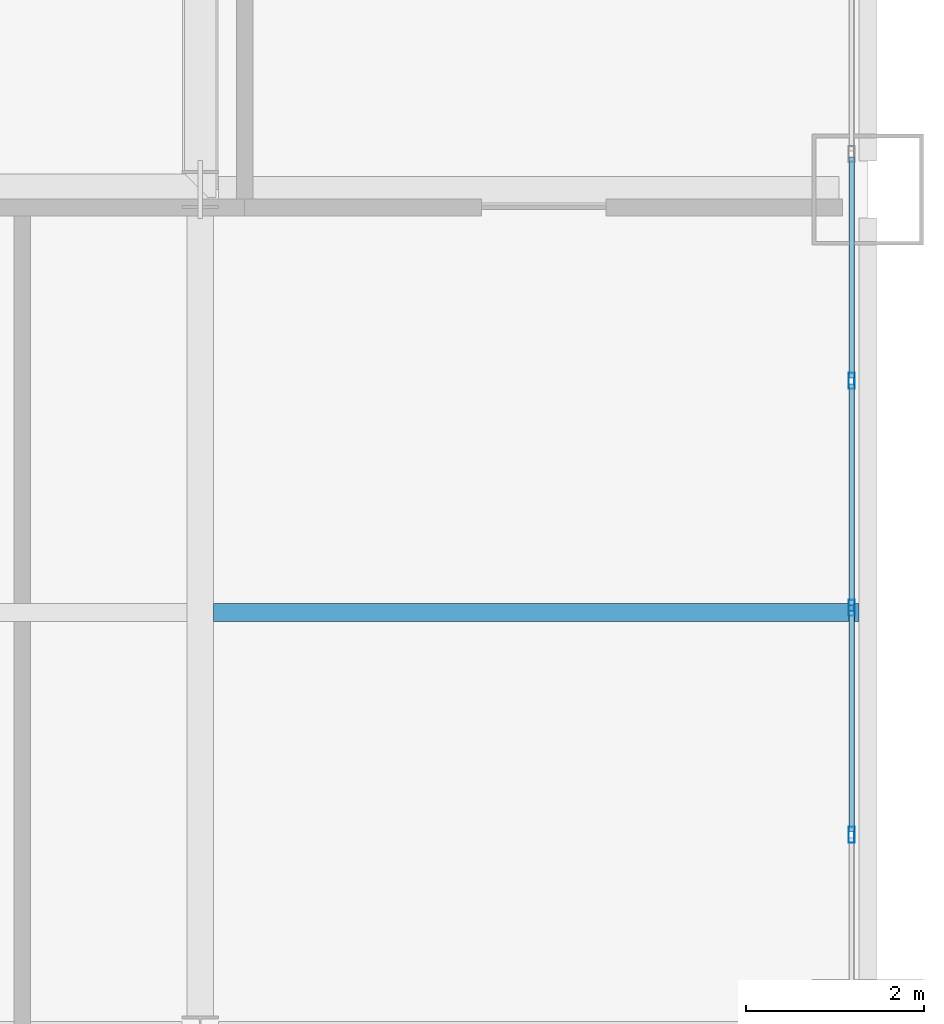
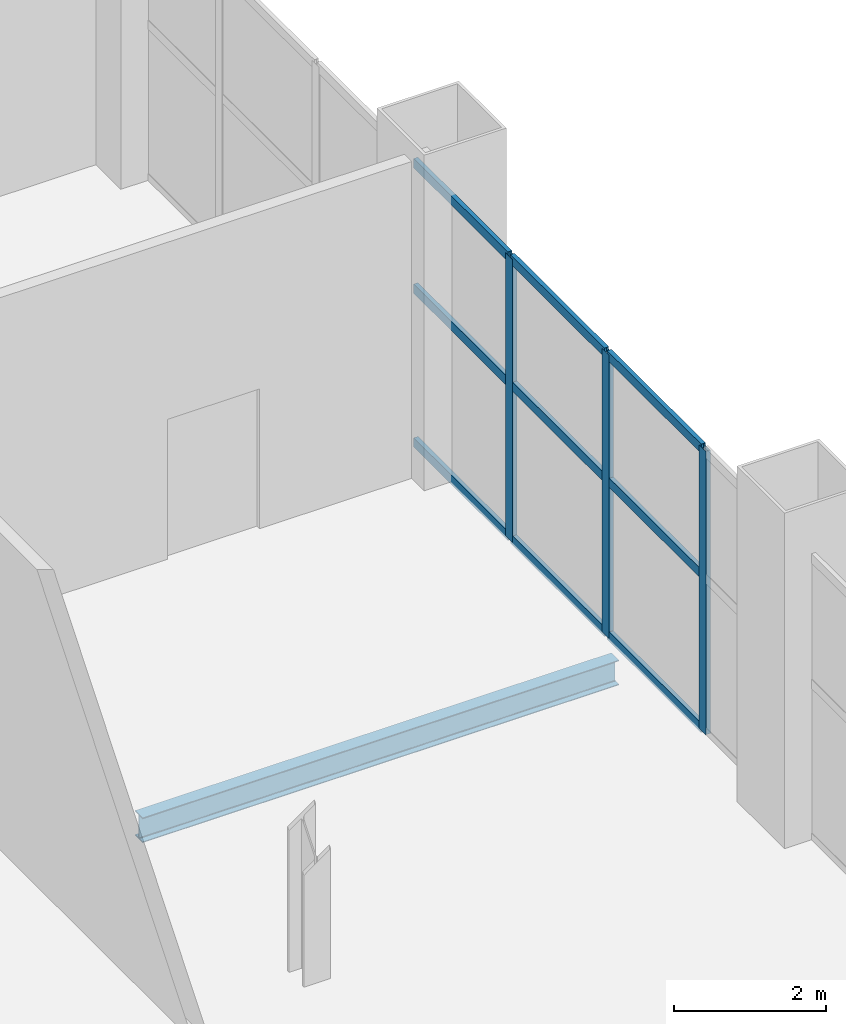
# One storey, part 12 of 26: 12 members, 1 beam, 1 element without a shape of its own.
"""IFC4 building model written with IfcOpenShell, lengths in metres."""

from ifc_helpers import new_model, si_unit, direction, frame, origin, origin_2d, place, context, subcontext, project, spatial, hollow_rectangle, i_section, extrude, material, layer, layer_set, material_profile, profile_set, type_object, element, aggregate, save


model = new_model("IFC4")

# Units and contexts
model_context = context("Model", 3, precision=1e-05, world=origin(), true_north=direction((0.0, 1.0)))
body_context = subcontext(model_context, "Body", "Model", "MODEL_VIEW")
ifc_project = project(units=[si_unit("LENGTHUNIT", "METRE"), si_unit("AREAUNIT", "SQUARE_METRE"), si_unit("VOLUMEUNIT", "CUBIC_METRE"), si_unit("PLANEANGLEUNIT", "RADIAN"), si_unit("MASSUNIT", "GRAM", prefix="KILO")], contexts=[model_context])

# Site, building, storey
site_placement = place(None, origin())
site = spatial("IfcSite", under=ifc_project, at=site_placement, CompositionType="ELEMENT")
building_placement = place(site_placement, origin())
building = spatial("IfcBuilding", under=site, at=building_placement, Name="Qianrong Seaharbour Tower", CompositionType="ELEMENT")
storey_placement = place(building_placement, frame((0.0, 0.0, 108.199951171875)))
storey = spatial("IfcBuildingStorey", under=building, at=storey_placement, Name="L26", CompositionType="ELEMENT", Elevation=108.199951171875)

# Beam
ifc_material_1 = material(Name="Structural steel SN400B", Category="steel")
ifc_material_profile_1 = material_profile(ifc_material_1, i_section(OverallWidth=0.199951171875, OverallDepth=0.39990234375, WebThickness=0.008056640625, FlangeThickness=0.012939453125, FilletRadius=0.01611328125, at=origin_2d()), Name="H400x200x8x13")
ifc_profile_set_1 = profile_set([ifc_material_profile_1], Name="Structural steel SN400B")
beam_type = type_object("IfcBeamType", Name="BM-J-400", PredefinedType="JOIST", material=ifc_profile_set_1)
beam_placement = place(storey_placement, frame((56.64990234375, 23.25, -0.550048828125), z_axis=(1.0, 0.0, 0.0), x_axis=(0.0, 1.0, 0.0)))
element("IfcBeam", 1, at=beam_placement, inside=storey, type_object=beam_type, Name="L26 Composite Floor Joist G8-G9/GD-GE", PredefinedType="JOIST", context=body_context, shape_type="SweptSolid", body=[
    extrude(i_section(OverallWidth=0.199951171875, OverallDepth=0.39990234375, WebThickness=0.008056640625, FlangeThickness=0.012939453125, FilletRadius=0.01611328125, at=origin_2d()), origin(), (0.0, 0.0, 1.0), 7.25),
])

# Curtain wall, members
ifc_material_2 = material(Name="Anodised aluminium 6063-T6 and laminated low-e glass", Category="aluminium")
ifc_layer = layer(ifc_material_2, 0.18505859375)
ifc_layer_set = layer_set([ifc_layer], Name="Anodised aluminium 6063-T6 and laminated low-e glass")
curtain_wall_type = type_object("IfcCurtainWallType", Name="CW-SYS-4", PredefinedType="NOTDEFINED", material=ifc_layer_set)
curtain_wall_placement = place(storey_placement, origin())
curtain_wall = element("IfcCurtainWall", 2, at=curtain_wall_placement, inside=storey, type_object=curtain_wall_type, Name="L26 Refuge Acoustic Louvre Curtain Wall EAST_WING", PredefinedType="NOTDEFINED")
ifc_material_3 = material(Name="Extruded aluminium 6063-T6", Category="aluminium")
ifc_material_profile_2 = material_profile(ifc_material_3, hollow_rectangle(XDim=0.070068359375, YDim=0.179931640625, WallThickness=0.00390625, at=origin_2d()), Name="ALU-MUL-180x70x4")
ifc_profile_set_2 = profile_set([ifc_material_profile_2], Name="Extruded aluminium 6063-T6")
member_type_1 = type_object("IfcMemberType", Name="CW-MUL-180", PredefinedType="MULLION", material=ifc_profile_set_2)
member_1_placement = place(storey_placement, frame((63.820068359375, 25.85009765625, 0.0), z_axis=(0.0, 0.0, 1.0), x_axis=(1.0, 0.0, 0.0)))
member_1 = element("IfcMember", 3, at=member_1_placement, type_object=member_type_1, Name="CW-4 mullion 5", PredefinedType="MULLION", context=body_context, shape_type="SweptSolid", body=[
    extrude(hollow_rectangle(XDim=0.070068359375, YDim=0.179931640625, WallThickness=0.00390625, at=origin_2d()), origin(), (0.0, 0.0, 1.0), 4.56005859375),
])
member_2_placement = place(storey_placement, frame((63.820068359375, 23.300048828125, 0.0), z_axis=(0.0, 0.0, 1.0), x_axis=(1.0, 0.0, 0.0)))
member_2 = element("IfcMember", 4, at=member_2_placement, type_object=member_type_1, Name="CW-4 mullion 6", PredefinedType="MULLION", context=body_context, shape_type="SweptSolid", body=[
    extrude(hollow_rectangle(XDim=0.070068359375, YDim=0.179931640625, WallThickness=0.00390625, at=origin_2d()), origin(), (0.0, 0.0, 1.0), 4.56005859375),
])
member_3_placement = place(storey_placement, frame((63.820068359375, 20.75, 0.0), z_axis=(0.0, 0.0, 1.0), x_axis=(1.0, 0.0, 0.0)))
member_3 = element("IfcMember", 5, at=member_3_placement, type_object=member_type_1, Name="CW-4 mullion 7", PredefinedType="MULLION", context=body_context, shape_type="SweptSolid", body=[
    extrude(hollow_rectangle(XDim=0.070068359375, YDim=0.179931640625, WallThickness=0.00390625, at=origin_2d()), origin(), (0.0, 0.0, 1.0), 4.56005859375),
])
ifc_material_profile_3 = material_profile(ifc_material_3, hollow_rectangle(XDim=0.06494140625, YDim=0.14990234375, WallThickness=0.00390625, at=origin_2d()), Name="ALU-TRN-150x65x4")
ifc_profile_set_3 = profile_set([ifc_material_profile_3], Name="Extruded aluminium 6063-T6")
member_type_2 = type_object("IfcMemberType", Name="CW-TRN-150", PredefinedType="USERDEFINED", material=ifc_profile_set_3)
member_4_placement = place(storey_placement, frame((63.820068359375, 28.364990234375, 0.032470703125), z_axis=(0.0, -1.0, 0.0), x_axis=(1.0, 0.0, 0.0)))
member_4 = element("IfcMember", 6, at=member_4_placement, type_object=member_type_2, Name="CW-4 transom 4.1", ObjectType="TRANSOM", PredefinedType="USERDEFINED", context=body_context, shape_type="SweptSolid", body=[
    extrude(hollow_rectangle(XDim=0.06494140625, YDim=0.14990234375, WallThickness=0.00390625, at=origin_2d()), origin(), (0.0, 0.0, 1.0), 2.47998046875),
])
member_5_placement = place(storey_placement, frame((63.820068359375, 28.364990234375, 2.508056640625), z_axis=(0.0, -1.0, 0.0), x_axis=(1.0, 0.0, 0.0)))
member_5 = element("IfcMember", 7, at=member_5_placement, type_object=member_type_2, Name="CW-4 transom 4.2", ObjectType="TRANSOM", PredefinedType="USERDEFINED", context=body_context, shape_type="SweptSolid", body=[
    extrude(hollow_rectangle(XDim=0.06494140625, YDim=0.14990234375, WallThickness=0.00390625, at=origin_2d()), origin(), (0.0, 0.0, 1.0), 2.47998046875),
])
member_6_placement = place(storey_placement, frame((63.820068359375, 28.364990234375, 4.527587890625), z_axis=(0.0, -1.0, 0.0), x_axis=(1.0, 0.0, 0.0)))
member_6 = element("IfcMember", 8, at=member_6_placement, type_object=member_type_2, Name="CW-4 transom 4.3", ObjectType="TRANSOM", PredefinedType="USERDEFINED", context=body_context, shape_type="SweptSolid", body=[
    extrude(hollow_rectangle(XDim=0.06494140625, YDim=0.14990234375, WallThickness=0.00390625, at=origin_2d()), origin(), (0.0, 0.0, 1.0), 2.47998046875),
])
member_7_placement = place(storey_placement, frame((63.820068359375, 25.81494140625, 0.032470703125), z_axis=(0.0, -1.0, 0.0), x_axis=(1.0, 0.0, 0.0)))
member_7 = element("IfcMember", 9, at=member_7_placement, type_object=member_type_2, Name="CW-4 transom 5.1", ObjectType="TRANSOM", PredefinedType="USERDEFINED", context=body_context, shape_type="SweptSolid", body=[
    extrude(hollow_rectangle(XDim=0.06494140625, YDim=0.14990234375, WallThickness=0.00390625, at=origin_2d()), origin(), (0.0, 0.0, 1.0), 2.47998046875),
])
member_8_placement = place(storey_placement, frame((63.820068359375, 25.81494140625, 2.508056640625), z_axis=(0.0, -1.0, 0.0), x_axis=(1.0, 0.0, 0.0)))
member_8 = element("IfcMember", 10, at=member_8_placement, type_object=member_type_2, Name="CW-4 transom 5.2", ObjectType="TRANSOM", PredefinedType="USERDEFINED", context=body_context, shape_type="SweptSolid", body=[
    extrude(hollow_rectangle(XDim=0.06494140625, YDim=0.14990234375, WallThickness=0.00390625, at=origin_2d()), origin(), (0.0, 0.0, 1.0), 2.47998046875),
])
member_9_placement = place(storey_placement, frame((63.820068359375, 25.81494140625, 4.527587890625), z_axis=(0.0, -1.0, 0.0), x_axis=(1.0, 0.0, 0.0)))
member_9 = element("IfcMember", 11, at=member_9_placement, type_object=member_type_2, Name="CW-4 transom 5.3", ObjectType="TRANSOM", PredefinedType="USERDEFINED", context=body_context, shape_type="SweptSolid", body=[
    extrude(hollow_rectangle(XDim=0.06494140625, YDim=0.14990234375, WallThickness=0.00390625, at=origin_2d()), origin(), (0.0, 0.0, 1.0), 2.47998046875),
])
member_10_placement = place(storey_placement, frame((63.820068359375, 23.264892578125, 0.032470703125), z_axis=(0.0, -1.0, 0.0), x_axis=(1.0, 0.0, 0.0)))
member_10 = element("IfcMember", 12, at=member_10_placement, type_object=member_type_2, Name="CW-4 transom 6.1", ObjectType="TRANSOM", PredefinedType="USERDEFINED", context=body_context, shape_type="SweptSolid", body=[
    extrude(hollow_rectangle(XDim=0.06494140625, YDim=0.14990234375, WallThickness=0.00390625, at=origin_2d()), origin(), (0.0, 0.0, 1.0), 2.47998046875),
])
member_11_placement = place(storey_placement, frame((63.820068359375, 23.264892578125, 2.508056640625), z_axis=(0.0, -1.0, 0.0), x_axis=(1.0, 0.0, 0.0)))
member_11 = element("IfcMember", 13, at=member_11_placement, type_object=member_type_2, Name="CW-4 transom 6.2", ObjectType="TRANSOM", PredefinedType="USERDEFINED", context=body_context, shape_type="SweptSolid", body=[
    extrude(hollow_rectangle(XDim=0.06494140625, YDim=0.14990234375, WallThickness=0.00390625, at=origin_2d()), origin(), (0.0, 0.0, 1.0), 2.47998046875),
])
member_12_placement = place(storey_placement, frame((63.820068359375, 23.264892578125, 4.527587890625), z_axis=(0.0, -1.0, 0.0), x_axis=(1.0, 0.0, 0.0)))
member_12 = element("IfcMember", 14, at=member_12_placement, type_object=member_type_2, Name="CW-4 transom 6.3", ObjectType="TRANSOM", PredefinedType="USERDEFINED", context=body_context, shape_type="SweptSolid", body=[
    extrude(hollow_rectangle(XDim=0.06494140625, YDim=0.14990234375, WallThickness=0.00390625, at=origin_2d()), origin(), (0.0, 0.0, 1.0), 2.47998046875),
])
aggregate(curtain_wall, [member_1, member_2, member_3, member_4, member_5, member_6, member_7, member_8, member_9, member_10, member_11, member_12])

save(model, "model.ifc")
